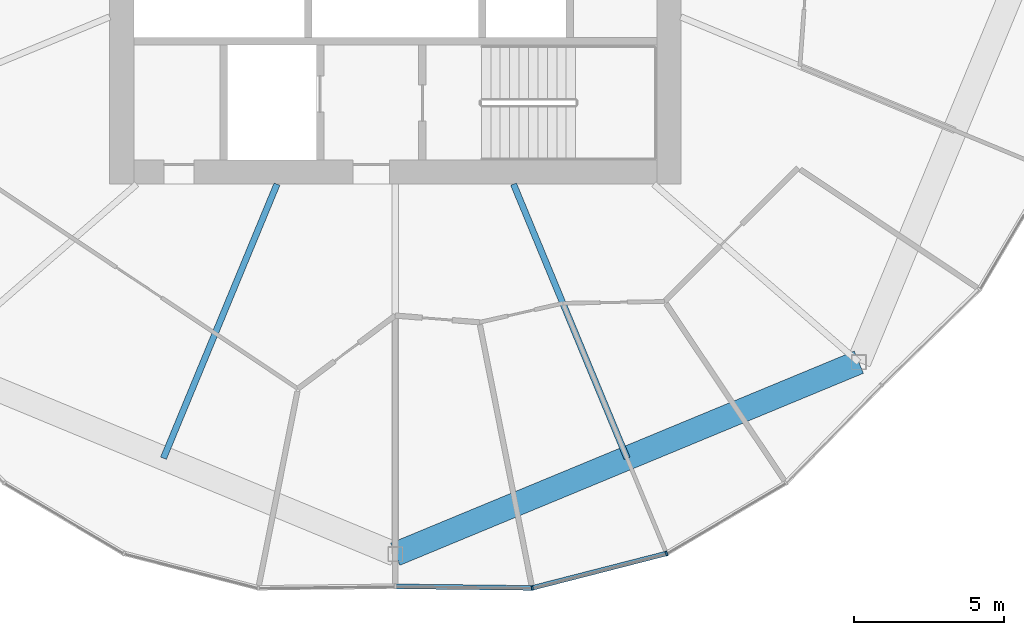
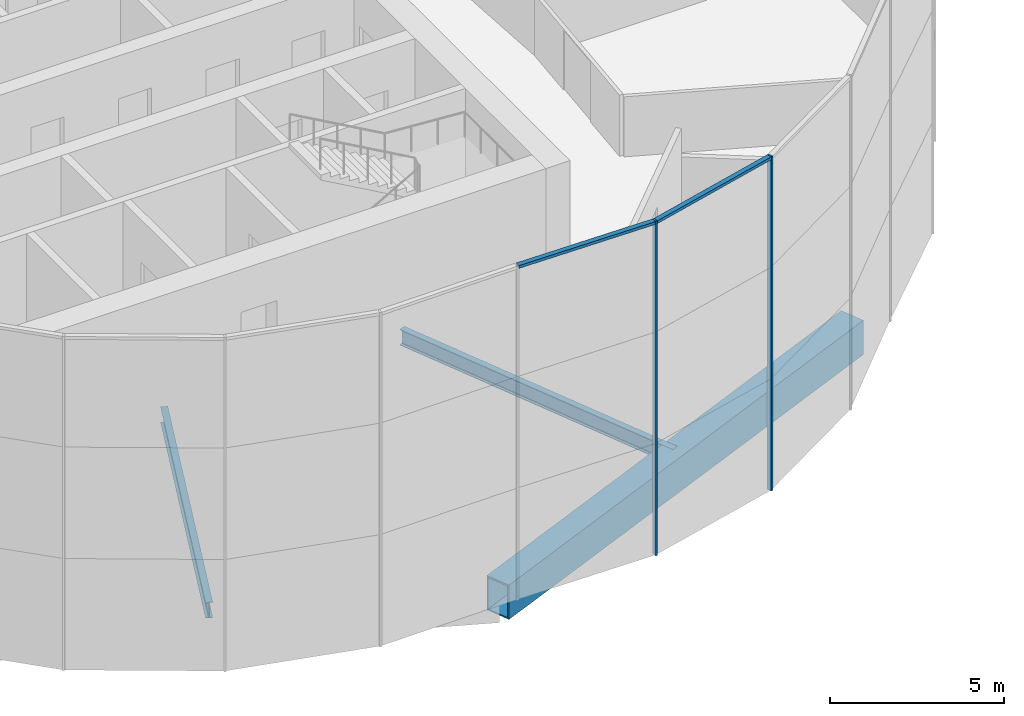
# One storey, part 4 of 25: 4 members, 3 beams, 1 element without a shape of its own.
"""IFC4 building model written with IfcOpenShell, lengths in metres."""

from ifc_helpers import new_model, si_unit, direction, frame, origin, origin_2d, place, context, subcontext, project, spatial, rectangle, hollow_rectangle, i_section, extrude, material, material_profile, profile_set, type_object, element, aggregate, save


model = new_model("IFC4")

# Units and contexts
model_context = context("Model", 3, precision=1e-05, world=origin(), true_north=direction((0.0, 1.0)))
body_context = subcontext(model_context, "Body", "Model", "MODEL_VIEW")
ifc_project = project(units=[si_unit("LENGTHUNIT", "METRE"), si_unit("AREAUNIT", "SQUARE_METRE"), si_unit("VOLUMEUNIT", "CUBIC_METRE"), si_unit("PLANEANGLEUNIT", "RADIAN"), si_unit("MASSUNIT", "GRAM", prefix="KILO")], contexts=[model_context])

# Site, building, storey
site_placement = place(None, origin())
site = spatial("IfcSite", under=ifc_project, at=site_placement, CompositionType="ELEMENT")
building_placement = place(site_placement, origin())
building = spatial("IfcBuilding", under=site, at=building_placement, Name="Ogive Gate Towers", CompositionType="ELEMENT")
storey_placement = place(building_placement, frame((0.0, 0.0, 44.10009765625)))
storey = spatial("IfcBuildingStorey", under=building, at=storey_placement, Name="L09", CompositionType="ELEMENT", Elevation=44.10009765625)

# Beams
ifc_material_1 = material(Name="Steel SM460", Category="steel")
ifc_material_profile_1 = material_profile(ifc_material_1, hollow_rectangle(XDim=0.800048828125, YDim=1.199951171875, WallThickness=0.050048828125, at=origin_2d()), Name="BX 1200x800x50")
ifc_profile_set_1 = profile_set([ifc_material_profile_1], Name="Steel SM460")
beam_type_1 = type_object("IfcBeamType", Name="Edge girder BX 1200x800x50", PredefinedType="BEAM", material=ifc_profile_set_1)
beam_placement = place(storey_placement, frame((-36.0, -21.81005859375, -0.900146484375), z_axis=(0.923881893128, 0.382677733282, 0.0), x_axis=(-0.382677733282, 0.923881893128, 0.0)))
element("IfcBeam", 1, at=beam_placement, inside=storey, type_object=beam_type_1, Name="T1/L09/SBM018", PredefinedType="BEAM", context=body_context, shape_type="SweptSolid", body=[
    extrude(hollow_rectangle(XDim=0.800048828125, YDim=1.199951171875, WallThickness=0.050048828125, at=origin_2d()), origin(), (0.0, 0.0, 1.0), 16.692626953125),
])
ifc_material_2 = material(Name="Steel SM355", Category="steel")
ifc_material_profile_2 = material_profile(ifc_material_2, i_section(OverallWidth=0.2099609375, OverallDepth=0.550048828125, WebThickness=0.010986328125, FlangeThickness=0.01708984375, FilletRadius=0.02392578125, at=origin_2d()), Name="IPE 550")
ifc_profile_set_2 = profile_set([ifc_material_profile_2], Name="Steel SM355")
beam_type_2 = type_object("IfcBeamType", Name="Radial floor beam IPE 550", PredefinedType="BEAM", material=ifc_profile_set_2)
for number, where, z_axis, x_axis, name in (
    (2, (-39.93505859375, -9.5, -0.5751953125), (-0.38267666976, -0.923882333645, 0.0), (0.923882333645, -0.38267666976, 0.0), "T1/L09/SBM002"),
    (3, (-32.06494140625, -9.5, -0.5751953125), (0.38267666976, -0.923882333645, 0.0), (0.923882333645, 0.38267666976, 0.0), "T1/L09/SBM004"),
):
    element("IfcBeam", number, at=place(storey_placement, frame(where, z_axis=z_axis, x_axis=x_axis)), inside=storey, type_object=beam_type_2, Name=name, PredefinedType="BEAM", context=body_context, shape_type="SweptSolid", body=[
        extrude(i_section(OverallWidth=0.2099609375, OverallDepth=0.550048828125, WebThickness=0.010986328125, FlangeThickness=0.01708984375, FilletRadius=0.02392578125, at=origin_2d()), origin(), (0.0, 0.0, 1.0), 9.866943359375),
    ])

# Curtain wall, members
ifc_material_3 = material(Name="Pale metal aluminium", Category="aluminium")
curtain_wall_type = type_object("IfcCurtainWallType", Name="Tower unitised wall, low zone", PredefinedType="NOTDEFINED", material=ifc_material_3)
curtain_wall_placement = place(storey_placement, origin())
curtain_wall = element("IfcCurtainWall", 4, at=curtain_wall_placement, inside=storey, type_object=curtain_wall_type, Name="CW1 T1 ECW07", PredefinedType="NOTDEFINED")
ifc_material_profile_3 = material_profile(ifc_material_3, rectangle(XDim=0.159912109375, YDim=0.06005859375, at=origin_2d()), Name="60 x 160 aluminium box")
ifc_profile_set_3 = profile_set([ifc_material_profile_3], Name="Pale metal aluminium")
member_type_1 = type_object("IfcMemberType", Name="Tower unitised wall, low zone mullion 60 x 160", PredefinedType="MULLION", material=ifc_profile_set_3)
member_1_placement = place(storey_placement, frame((-31.444580078125, -22.9326171875, -0.300048828125), z_axis=(0.0, 0.0, 1.0), x_axis=(0.119547703651, -0.992828457767, 0.0)))
member_1 = element("IfcMember", 5, at=member_1_placement, type_object=member_type_1, Name="CW1 mullion", PredefinedType="MULLION", context=body_context, shape_type="SweptSolid", body=[
    extrude(rectangle(XDim=0.159912109375, YDim=0.06005859375, at=origin_2d()), origin(), (0.0, 0.0, 1.0), 11.699951171875),
])
member_2_placement = place(storey_placement, frame((-26.97607421875, -21.785888671875, -0.300048828125), z_axis=(0.0, 0.0, 1.0), x_axis=(0.382683432365, -0.923879532511, 0.0)))
member_2 = element("IfcMember", 6, at=member_2_placement, type_object=member_type_1, Name="CW1 mullion", PredefinedType="MULLION", context=body_context, shape_type="SweptSolid", body=[
    extrude(rectangle(XDim=0.159912109375, YDim=0.06005859375, at=origin_2d()), origin(), (0.0, 0.0, 1.0), 11.699951171875),
])
ifc_material_profile_4 = material_profile(ifc_material_3, rectangle(XDim=0.159912109375, YDim=0.10009765625, at=origin_2d()), Name="100 x 160 aluminium box")
ifc_profile_set_4 = profile_set([ifc_material_profile_4], Name="Pale metal aluminium")
member_type_2 = type_object("IfcMemberType", Name="Tower unitised wall, low zone transom 100 x 160", PredefinedType="USERDEFINED", material=ifc_profile_set_4)
member_3_placement = place(storey_placement, frame((-35.9697265625, -22.88037109375, 11.349853515625), z_axis=(0.999933789779, -0.011507217644, 0.0), x_axis=(0.011507217644, 0.999933789779, 0.0)))
member_3 = element("IfcMember", 7, at=member_3_placement, type_object=member_type_2, Name="CW1 transom", ObjectType="TRANSOM", PredefinedType="USERDEFINED", context=body_context, shape_type="SweptSolid", body=[
    extrude(rectangle(XDim=0.159912109375, YDim=0.10009765625, at=origin_2d()), origin(), (0.0, 0.0, 1.0), 4.497802734375),
])
member_4_placement = place(storey_placement, frame((-31.418212890625, -22.925537109375, 11.349853515625), z_axis=(0.968624541573, 0.248528665272, 0.0), x_axis=(-0.248528665272, 0.968624541573, 0.0)))
member_4 = element("IfcMember", 8, at=member_4_placement, type_object=member_type_2, Name="CW1 transom", ObjectType="TRANSOM", PredefinedType="USERDEFINED", context=body_context, shape_type="SweptSolid", body=[
    extrude(rectangle(XDim=0.159912109375, YDim=0.10009765625, at=origin_2d()), origin(), (0.0, 0.0, 1.0), 4.55908203125),
])
aggregate(curtain_wall, [member_1, member_3, member_2, member_4])

save(model, "model.ifc")
